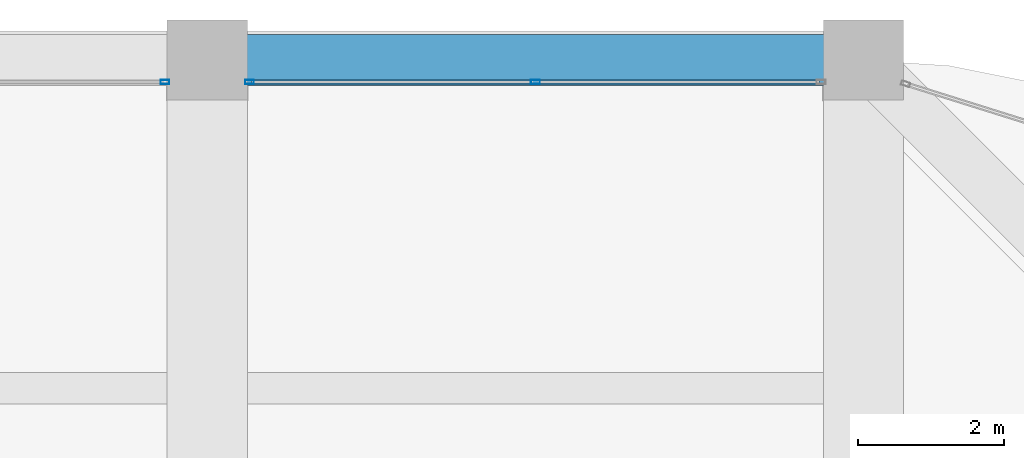
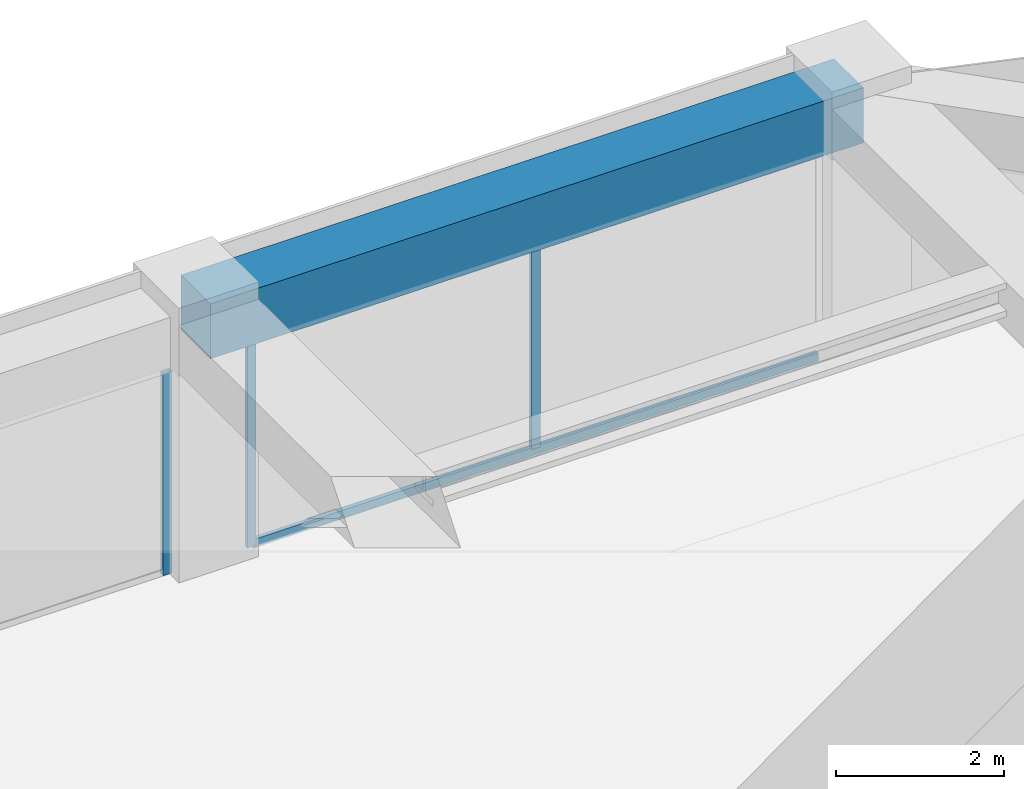
# One storey, part 35 of 45: 4 members, 1 beam, 2 elements without a shape of their own.
"""IFC4 building model written with IfcOpenShell, lengths in metres."""

from ifc_helpers import new_model, si_unit, direction, frame, origin, origin_2d, place, context, subcontext, project, spatial, rectangle, hollow_rectangle, extrude, material, material_profile, profile_set, type_object, element, aggregate, save


model = new_model("IFC4")

# Units and contexts
model_context = context("Model", 3, precision=1e-05, world=origin(), true_north=direction((0.0, 1.0)))
body_context = subcontext(model_context, "Body", "Model", "MODEL_VIEW")
ifc_project = project(units=[si_unit("LENGTHUNIT", "METRE"), si_unit("AREAUNIT", "SQUARE_METRE"), si_unit("VOLUMEUNIT", "CUBIC_METRE"), si_unit("PLANEANGLEUNIT", "RADIAN"), si_unit("MASSUNIT", "GRAM", prefix="KILO")], contexts=[model_context])

# Site, building, storey
site_placement = place(None, origin())
site = spatial("IfcSite", under=ifc_project, at=site_placement, CompositionType="ELEMENT")
building_placement = place(site_placement, origin())
building = spatial("IfcBuilding", under=site, at=building_placement, Name="Zorevar Civic Tower", CompositionType="ELEMENT")
storey_placement = place(building_placement, frame((0.0, 0.0, 303.39990234375)))
storey = spatial("IfcBuildingStorey", under=building, at=storey_placement, Name="L74", CompositionType="ELEMENT", Elevation=303.39990234375)

# Curtain wall, member
ifc_material_1 = material(Name="Dark grey solar-control glass in black aluminium frame", Category="aluminium")
curtain_wall_type = type_object("IfcCurtainWallType", Name="Curtain wall CW5 top zone", PredefinedType="NOTDEFINED", material=ifc_material_1)
curtain_wall_1_placement = place(storey_placement, origin())
curtain_wall_1 = element("IfcCurtainWall", 1, at=curtain_wall_1_placement, inside=storey, type_object=curtain_wall_type, Name="CW5 L74", PredefinedType="NOTDEFINED")
ifc_material_2 = material(Name="Aluminium, black anodised", Category="aluminium")
ifc_material_profile_1 = material_profile(ifc_material_2, hollow_rectangle(XDim=0.06005859375, YDim=0.1201171875, WallThickness=0.0029296875, at=origin_2d()), Name="AL 120x60x3")
ifc_profile_set_1 = profile_set([ifc_material_profile_1], Name="Aluminium, black anodised")
member_type_1 = type_object("IfcMemberType", Name="CW5 mullion AL 120x60x3", PredefinedType="MULLION", material=ifc_profile_set_1)
member_1_placement = place(storey_placement, frame((35.419921875, 44.699951171875, 0.0), z_axis=(0.0, 0.0, 1.0), x_axis=(0.0, 1.0, 0.0)))
member_1 = element("IfcMember", 2, at=member_1_placement, type_object=member_type_1, Name="CW5 mullion 3", PredefinedType="MULLION", context=body_context, shape_type="SweptSolid", body=[
    extrude(hollow_rectangle(XDim=0.06005859375, YDim=0.1201171875, WallThickness=0.0029296875, at=origin_2d()), origin(), (0.0, 0.0, 1.0), 2.9501953125),
])
aggregate(curtain_wall_1, [member_1])

# Curtain wall, members
curtain_wall_2_placement = place(storey_placement, origin())
curtain_wall_2 = element("IfcCurtainWall", 3, at=curtain_wall_2_placement, inside=storey, type_object=curtain_wall_type, Name="CW5 L74", PredefinedType="NOTDEFINED")
member_2_placement = place(storey_placement, frame((36.580078125, 44.699951171875, 0.0), z_axis=(0.0, 0.0, 1.0), x_axis=(0.0, 1.0, 0.0)))
member_2 = element("IfcMember", 4, at=member_2_placement, type_object=member_type_1, Name="CW5 mullion 1", PredefinedType="MULLION", context=body_context, shape_type="SweptSolid", body=[
    extrude(hollow_rectangle(XDim=0.06005859375, YDim=0.1201171875, WallThickness=0.0029296875, at=origin_2d()), origin(), (0.0, 0.0, 1.0), 2.9501953125),
])
member_3_placement = place(storey_placement, frame((40.5, 44.699951171875, 0.06005859375), z_axis=(0.0, 0.0, 1.0), x_axis=(0.0, 1.0, 0.0)))
member_3 = element("IfcMember", 5, at=member_3_placement, type_object=member_type_1, Name="CW5 mullion 2", PredefinedType="MULLION", context=body_context, shape_type="SweptSolid", body=[
    extrude(hollow_rectangle(XDim=0.06005859375, YDim=0.1201171875, WallThickness=0.0029296875, at=origin_2d()), origin(), (0.0, 0.0, 1.0), 2.89013671875),
])
ifc_material_3 = material(Name="Aluminium, black anodised", Category="aluminium")
ifc_material_profile_2 = material_profile(ifc_material_3, hollow_rectangle(XDim=0.06005859375, YDim=0.1201171875, WallThickness=0.0029296875, at=origin_2d()), Name="AL 120x60x3")
ifc_profile_set_2 = profile_set([ifc_material_profile_2], Name="Aluminium, black anodised")
member_type_2 = type_object("IfcMemberType", Name="CW5 transom AL 120x60x3", PredefinedType="USERDEFINED", material=ifc_profile_set_2)
member_4_placement = place(storey_placement, frame((36.610107421875, 44.699951171875, 0.030029296875), z_axis=(1.0, 0.0, 0.0), x_axis=(0.0, 1.0, 0.0)))
member_4 = element("IfcMember", 6, at=member_4_placement, type_object=member_type_2, Name="CW5 sill transom", ObjectType="TRANSOM", PredefinedType="USERDEFINED", context=body_context, shape_type="SweptSolid", body=[
    extrude(hollow_rectangle(XDim=0.06005859375, YDim=0.1201171875, WallThickness=0.0029296875, at=origin_2d()), origin(), (0.0, 0.0, 1.0), 7.77978515625),
])
aggregate(curtain_wall_2, [member_2, member_3, member_4])

# Beam
ifc_material_4 = material(Name="Concrete C50/60", Category="concrete")
ifc_material_profile_3 = material_profile(ifc_material_4, rectangle(XDim=0.699951171875, YDim=0.800048828125, at=origin_2d()), Name="RC 700x800")
ifc_profile_set_3 = profile_set([ifc_material_profile_3], Name="Concrete C50/60")
beam_type = type_object("IfcBeamType", Name="Edge beam RC 700x800", PredefinedType="SPANDREL", material=ifc_profile_set_3)
beam_placement = place(storey_placement, frame((36.0, 45.0, 3.35009765625), z_axis=(1.0, 0.0, 0.0), x_axis=(0.0, 1.0, 0.0)))
element("IfcBeam", 7, at=beam_placement, inside=storey, type_object=beam_type, Name="Edge beam L75", PredefinedType="SPANDREL", context=body_context, shape_type="SweptSolid", body=[
    extrude(rectangle(XDim=0.699951171875, YDim=0.800048828125, at=origin_2d()), origin(), (0.0, 0.0, 1.0), 9.0),
])

save(model, "model.ifc")
